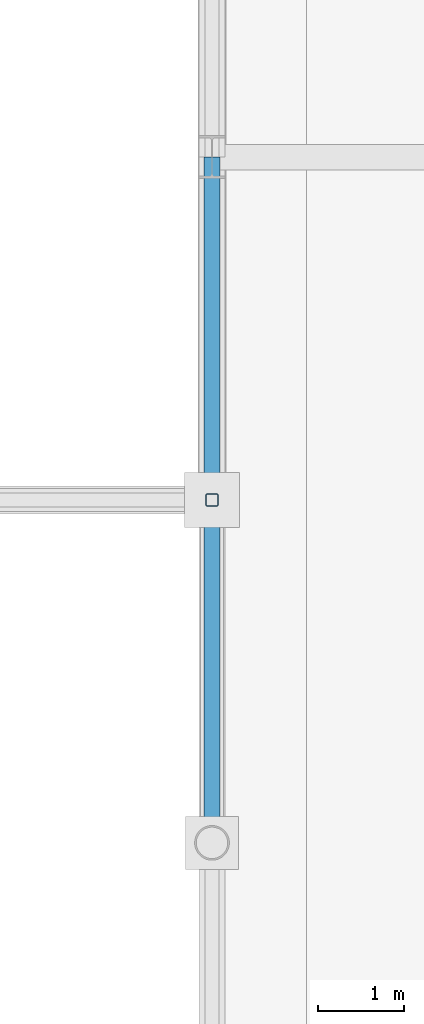
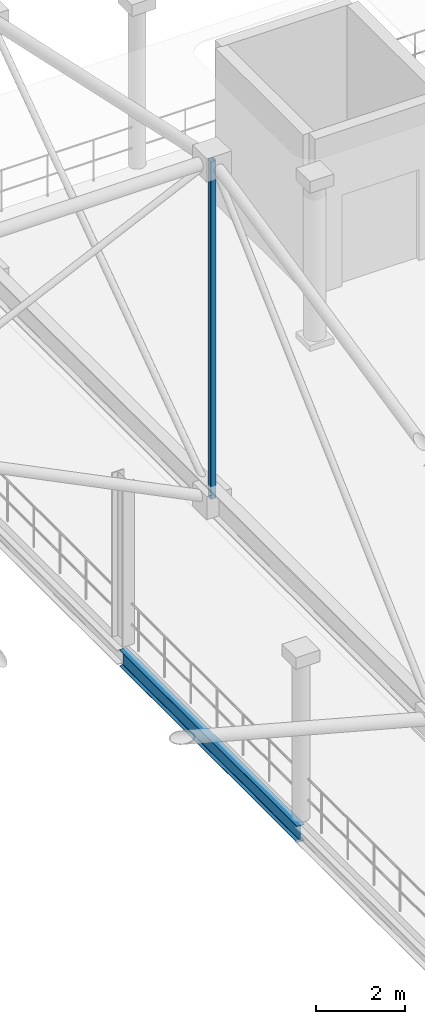
# One storey, part 87 of 193: 1 beam, 1 member.
"""IFC4 building model written with IfcOpenShell, lengths in metres."""

from ifc_helpers import new_model, si_unit, direction, frame, origin, origin_2d, place, context, subcontext, project, spatial, hollow_rectangle, i_section, extrude, material, material_profile, profile_set, type_object, element, save


model = new_model("IFC4")

# Units and contexts
model_context = context("Model", 3, precision=1e-05, world=origin(), true_north=direction((0.0, 1.0)))
body_context = subcontext(model_context, "Body", "Model", "MODEL_VIEW")
ifc_project = project(units=[si_unit("LENGTHUNIT", "METRE"), si_unit("AREAUNIT", "SQUARE_METRE"), si_unit("VOLUMEUNIT", "CUBIC_METRE"), si_unit("PLANEANGLEUNIT", "RADIAN"), si_unit("MASSUNIT", "GRAM", prefix="KILO")], contexts=[model_context])

# Site, building, storey
site_placement = place(None, origin())
site = spatial("IfcSite", under=ifc_project, at=site_placement, CompositionType="ELEMENT")
building_placement = place(site_placement, origin())
building = spatial("IfcBuilding", under=site, at=building_placement, Name="Danafjord Basin Convention Centre", CompositionType="ELEMENT")
storey_placement = place(building_placement, frame((0.0, 0.0, 11.39990234375)))
storey = spatial("IfcBuildingStorey", under=building, at=storey_placement, Name="L02", CompositionType="ELEMENT", Elevation=11.39990234375)

# Beam
ifc_material = material(Name="Steel S355", Category="steel")
ifc_material_profile_1 = material_profile(ifc_material, i_section(OverallWidth=0.18994140625, OverallDepth=0.449951171875, WebThickness=0.009521484375, FlangeThickness=0.0146484375, FilletRadius=0.02099609375, at=origin_2d()), Name="IPE 450")
ifc_profile_set_1 = profile_set([ifc_material_profile_1], Name="Steel S355")
beam_type = type_object("IfcBeamType", Name="BEAM-SP-IPE450", PredefinedType="SPANDREL", material=ifc_profile_set_1)
beam_placement = place(storey_placement, frame((192.0, 56.0, -0.454833984375), z_axis=(0.0, 1.0, 0.0), x_axis=(-1.0, 0.0, 0.0)))
element("IfcBeam", 1, at=beam_placement, inside=storey, type_object=beam_type, Name="L02 transverse girder SP-IPE450", PredefinedType="SPANDREL", context=body_context, shape_type="SweptSolid", body=[
    extrude(i_section(OverallWidth=0.18994140625, OverallDepth=0.449951171875, WebThickness=0.009521484375, FlangeThickness=0.0146484375, FilletRadius=0.02099609375, at=origin_2d()), origin(), (0.0, 0.0, 1.0), 8.0),
])

# Member
ifc_material_profile_2 = material_profile(ifc_material, hollow_rectangle(XDim=0.14990234375, YDim=0.14990234375, WallThickness=0.008056640625, InnerFilletRadius=0.011962890625, OuterFilletRadius=0.02001953125, at=origin_2d()), Name="SHS 150x150x8.0")
ifc_profile_set_2 = profile_set([ifc_material_profile_2], Name="Steel S355")
member_type = type_object("IfcMemberType", Name="MEM-ST-SHS150", PredefinedType="STRUT", material=ifc_profile_set_2)
member_placement = place(storey_placement, frame((192.0, 60.0, 6.35009765625), z_axis=(0.0, 0.0, 1.0), x_axis=(1.0, 0.0, 0.0)))
element("IfcMember", 2, at=member_placement, inside=storey, type_object=member_type, Name="V3 roof truss vertical strut", PredefinedType="STRUT", context=body_context, shape_type="SweptSolid", body=[
    extrude(hollow_rectangle(XDim=0.14990234375, YDim=0.14990234375, WallThickness=0.008056640625, InnerFilletRadius=0.011962890625, OuterFilletRadius=0.02001953125, at=origin_2d()), origin(), (0.0, 0.0, 1.0), 9.262451171875),
])

save(model, "model.ifc")
